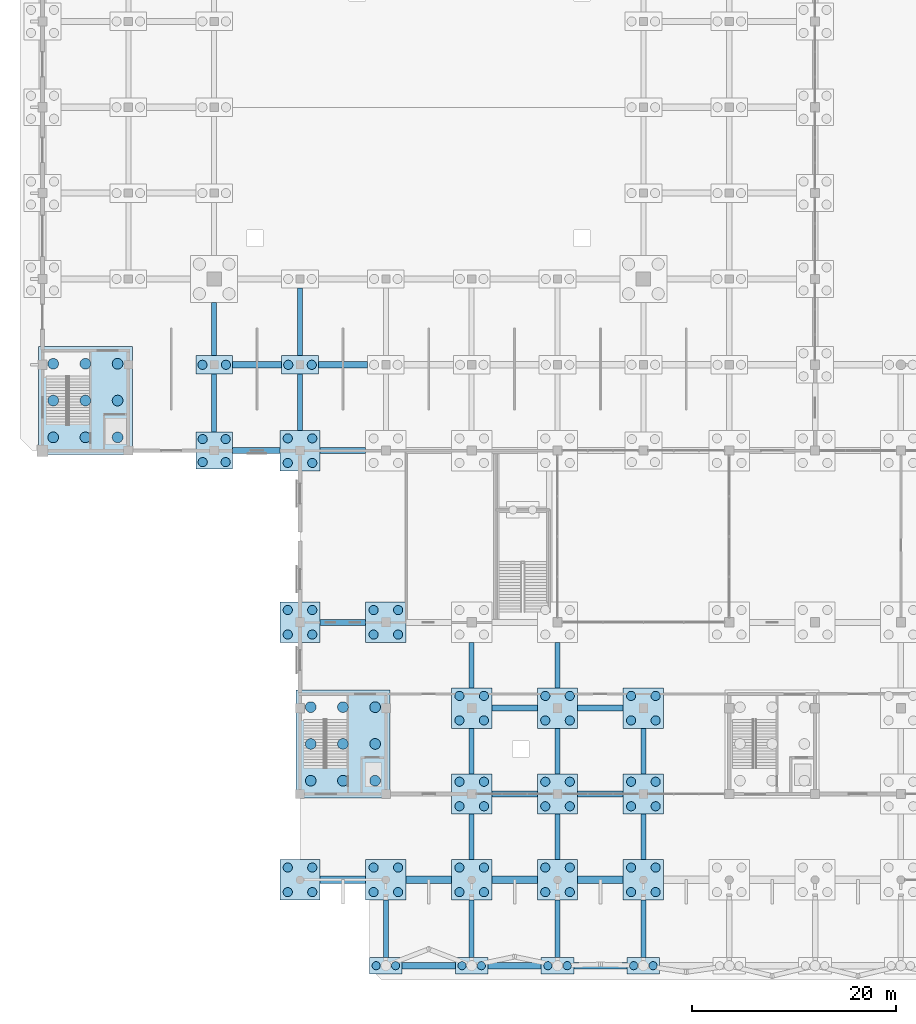
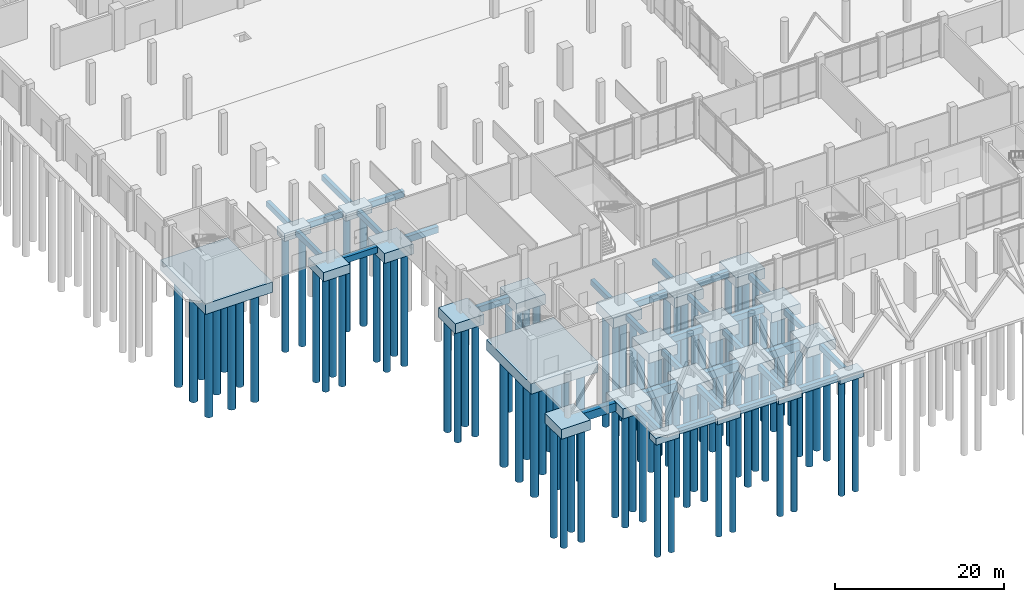
# One storey, part 1 of 72: 90 piles, 55 footings.
"""IFC4 building model written with IfcOpenShell, lengths in metres."""

from ifc_helpers import new_model, si_unit, direction, frame, origin, origin_2d, place, context, subcontext, project, spatial, rectangle, circle, extrude, material, layer, layer_set, material_profile, profile_set, type_object, element, save


model = new_model("IFC4")

# Units and contexts
model_context = context("Model", 3, precision=1e-05, world=origin(), true_north=direction((0.0, 1.0)))
body_context = subcontext(model_context, "Body", "Model", "MODEL_VIEW")
ifc_project = project(units=[si_unit("LENGTHUNIT", "METRE"), si_unit("AREAUNIT", "SQUARE_METRE"), si_unit("VOLUMEUNIT", "CUBIC_METRE"), si_unit("PLANEANGLEUNIT", "RADIAN"), si_unit("MASSUNIT", "GRAM", prefix="KILO")], contexts=[model_context])

# Site, building, storey
site_placement = place(None, origin())
site = spatial("IfcSite", under=ifc_project, at=site_placement, CompositionType="ELEMENT")
building_placement = place(site_placement, origin())
building = spatial("IfcBuilding", under=site, at=building_placement, Name="Qawsi Khor Wholesale Market", CompositionType="ELEMENT")
storey_placement = place(building_placement, origin())
storey = spatial("IfcBuildingStorey", under=building, at=storey_placement, Name="L00", CompositionType="ELEMENT", Elevation=0.0)

# Piles
ifc_material = material(Name="Concrete C45/55", Category="concrete")
ifc_material_profile_1 = material_profile(ifc_material, circle(Radius=0.52490234375, at=origin_2d()), Name="PILE D1050")
ifc_profile_set_1 = profile_set([ifc_material_profile_1], Name="Concrete C45/55")
pile_type_1 = type_object("IfcPileType", Name="Bored Pile D1050 C45/55", PredefinedType="BORED", material=ifc_profile_set_1)
for number, where, z_axis, x_axis, name in (
    (1, (26.25, 9.699951171875, -1.800048828125), (0.0, 0.0, -1.0), (1.0, 0.0, 0.0), "Core bored pile C01-01"),
    (2, (26.25, 13.300048828125, -1.800048828125), (0.0, 0.0, -1.0), (1.0, 0.0, 0.0), "Core bored pile C01-02"),
    (3, (26.25, 16.89990234375, -1.800048828125), (0.0, 0.0, -1.0), (1.0, 0.0, 0.0), "Core bored pile C01-03"),
    (4, (29.39990234375, 9.699951171875, -1.800048828125), (0.0, 0.0, -1.0), (1.0, 0.0, 0.0), "Core bored pile C01-04"),
    (5, (29.39990234375, 13.300048828125, -1.800048828125), (0.0, 0.0, -1.0), (1.0, 0.0, 0.0), "Core bored pile C01-05"),
    (6, (29.39990234375, 16.89990234375, -1.800048828125), (0.0, 0.0, -1.0), (1.0, 0.0, 0.0), "Core bored pile C01-06"),
    (7, (32.550048828125, 9.699951171875, -1.800048828125), (0.0, 0.0, -1.0), (1.0, 0.0, 0.0), "Core bored pile C01-07"),
    (8, (32.550048828125, 13.300048828125, -1.800048828125), (0.0, 0.0, -1.0), (1.0, 0.0, 0.0), "Core bored pile C01-08"),
    (9, (32.550048828125, 16.89990234375, -1.800048828125), (0.0, 0.0, -1.0), (1.0, 0.0, 0.0), "Core bored pile C01-09"),
    (10, (1.050048828125, 43.300048828125, -1.800048828125), (0.0, 0.0, -1.0), (1.0, 0.0, 0.0), "Core bored pile C07-01"),
    (11, (1.050048828125, 46.89990234375, -1.800048828125), (0.0, 0.0, -1.0), (1.0, 0.0, 0.0), "Core bored pile C07-02"),
    (12, (1.050048828125, 50.5, -1.800048828125), (0.0, 0.0, -1.0), (1.0, 0.0, 0.0), "Core bored pile C07-03"),
    (13, (4.199951171875, 43.300048828125, -1.800048828125), (0.0, 0.0, -1.0), (1.0, 0.0, 0.0), "Core bored pile C07-04"),
    (14, (4.199951171875, 46.89990234375, -1.800048828125), (0.0, 0.0, -1.0), (1.0, 0.0, 0.0), "Core bored pile C07-05"),
    (15, (4.199951171875, 50.5, -1.800048828125), (0.0, 0.0, -1.0), (1.0, 0.0, 0.0), "Core bored pile C07-06"),
    (16, (7.35009765625, 43.300048828125, -1.800048828125), (0.0, 0.0, -1.0), (1.0, 0.0, 0.0), "Core bored pile C07-07"),
    (17, (7.35009765625, 46.89990234375, -1.800048828125), (0.0, 0.0, -1.0), (1.0, 0.0, 0.0), "Core bored pile C07-08"),
    (18, (7.35009765625, 50.5, -1.800048828125), (0.0, 0.0, -1.0), (1.0, 0.0, 0.0), "Core bored pile C07-09"),
):
    element("IfcPile", number, at=place(storey_placement, frame(where, z_axis=z_axis, x_axis=x_axis)), inside=storey, type_object=pile_type_1, Name=name, PredefinedType="BORED", context=body_context, shape_type="SweptSolid", body=[
        extrude(circle(Radius=0.52490234375, at=origin_2d()), origin(), (0.0, 0.0, 1.0), 16.199951171875),
    ])
ifc_material_profile_2 = material_profile(ifc_material, circle(Radius=0.39990234375, at=origin_2d()), Name="PILE D800")
ifc_profile_set_2 = profile_set([ifc_material_profile_2], Name="Concrete C45/55")
pile_type_2 = type_object("IfcPileType", Name="Bored Pile D800 C45/55", PredefinedType="BORED", material=ifc_profile_set_2)
for number, where, z_axis, x_axis, name in (
    (19, (32.64990234375, -8.39990234375, -1.2900390625), (0.0, 0.0, -1.0), (1.0, 0.0, 0.0), "Canopy pile 04_-01-1"),
    (20, (34.550048828125, -8.39990234375, -1.2900390625), (0.0, 0.0, -1.0), (1.0, 0.0, 0.0), "Canopy pile 04_-01-2"),
    (21, (41.050048828125, -8.39990234375, -1.2900390625), (0.0, 0.0, -1.0), (1.0, 0.0, 0.0), "Canopy pile 05_-01-1"),
    (22, (42.949951171875, -8.39990234375, -1.2900390625), (0.0, 0.0, -1.0), (1.0, 0.0, 0.0), "Canopy pile 05_-01-2"),
    (23, (49.449951171875, -8.39990234375, -1.2900390625), (0.0, 0.0, -1.0), (1.0, 0.0, 0.0), "Canopy pile 06_-01-1"),
    (24, (51.35009765625, -8.39990234375, -1.2900390625), (0.0, 0.0, -1.0), (1.0, 0.0, 0.0), "Canopy pile 06_-01-2"),
    (25, (57.85009765625, -8.39990234375, -1.2900390625), (0.0, 0.0, -1.0), (1.0, 0.0, 0.0), "Canopy pile 07_-01-1"),
    (26, (59.75, -8.39990234375, -1.2900390625), (0.0, 0.0, -1.0), (1.0, 0.0, 0.0), "Canopy pile 07_-01-2"),
):
    element("IfcPile", number, at=place(storey_placement, frame(where, z_axis=z_axis, x_axis=x_axis)), inside=storey, type_object=pile_type_2, Name=name, PredefinedType="BORED", context=body_context, shape_type="SweptSolid", body=[
        extrude(circle(Radius=0.39990234375, at=origin_2d()), origin(), (0.0, 0.0, 1.0), 16.7099609375),
    ])
ifc_material_profile_3 = material_profile(ifc_material, circle(Radius=0.449951171875, at=origin_2d()), Name="PILE D900")
ifc_profile_set_3 = profile_set([ifc_material_profile_3], Name="Concrete C45/55")
pile_type_3 = type_object("IfcPileType", Name="Bored Pile D900 C45/55", PredefinedType="BORED", material=ifc_profile_set_3)
for number, where, z_axis, x_axis, name in (
    (27, (15.675048828125, 40.875, -1.610107421875), (0.0, 0.0, -1.0), (1.0, 0.0, 0.0), "Bored pile 02_+05-1"),
    (28, (17.925048828125, 40.875, -1.610107421875), (0.0, 0.0, -1.0), (1.0, 0.0, 0.0), "Bored pile 02_+05-2"),
    (29, (15.675048828125, 43.125, -1.610107421875), (0.0, 0.0, -1.0), (1.0, 0.0, 0.0), "Bored pile 02_+05-3"),
    (30, (17.925048828125, 43.125, -1.610107421875), (0.0, 0.0, -1.0), (1.0, 0.0, 0.0), "Bored pile 02_+05-4"),
):
    element("IfcPile", number, at=place(storey_placement, frame(where, z_axis=z_axis, x_axis=x_axis)), inside=storey, type_object=pile_type_3, Name=name, PredefinedType="BORED", context=body_context, shape_type="SweptSolid", body=[
        extrude(circle(Radius=0.449951171875, at=origin_2d()), origin(), (0.0, 0.0, 1.0), 16.389892578125),
    ])
for number, where, z_axis, x_axis, name in (
    (31, (15.64990234375, 50.39990234375, -1.5), (0.0, 0.0, -1.0), (1.0, 0.0, 0.0), "Bored pile 02_+06-1"),
    (32, (17.949951171875, 50.39990234375, -1.5), (0.0, 0.0, -1.0), (1.0, 0.0, 0.0), "Bored pile 02_+06-2"),
):
    element("IfcPile", number, at=place(storey_placement, frame(where, z_axis=z_axis, x_axis=x_axis)), inside=storey, type_object=pile_type_3, Name=name, PredefinedType="BORED", context=body_context, shape_type="SweptSolid", body=[
        extrude(circle(Radius=0.449951171875, at=origin_2d()), origin(), (0.0, 0.0, 1.0), 16.5),
    ])
for number, where, z_axis, x_axis, name in (
    (33, (24.0, -1.199951171875, -1.72998046875), (0.0, 0.0, -1.0), (1.0, 0.0, 0.0), "Bored pile 03_+00-1"),
    (34, (26.39990234375, -1.199951171875, -1.72998046875), (0.0, 0.0, -1.0), (1.0, 0.0, 0.0), "Bored pile 03_+00-2"),
    (35, (24.0, 1.199951171875, -1.72998046875), (0.0, 0.0, -1.0), (1.0, 0.0, 0.0), "Bored pile 03_+00-3"),
    (36, (26.39990234375, 1.199951171875, -1.72998046875), (0.0, 0.0, -1.0), (1.0, 0.0, 0.0), "Bored pile 03_+00-4"),
    (37, (24.0, 24.0, -1.72998046875), (0.0, 0.0, -1.0), (1.0, 0.0, 0.0), "Bored pile 03_+03-1"),
    (38, (26.39990234375, 24.0, -1.72998046875), (0.0, 0.0, -1.0), (1.0, 0.0, 0.0), "Bored pile 03_+03-2"),
    (39, (24.0, 26.39990234375, -1.72998046875), (0.0, 0.0, -1.0), (1.0, 0.0, 0.0), "Bored pile 03_+03-3"),
    (40, (26.39990234375, 26.39990234375, -1.72998046875), (0.0, 0.0, -1.0), (1.0, 0.0, 0.0), "Bored pile 03_+03-4"),
    (41, (24.0, 40.800048828125, -1.72998046875), (0.0, 0.0, -1.0), (1.0, 0.0, 0.0), "Bored pile 03_+05-1"),
    (42, (26.39990234375, 40.800048828125, -1.72998046875), (0.0, 0.0, -1.0), (1.0, 0.0, 0.0), "Bored pile 03_+05-2"),
    (43, (24.0, 43.199951171875, -1.72998046875), (0.0, 0.0, -1.0), (1.0, 0.0, 0.0), "Bored pile 03_+05-3"),
    (44, (26.39990234375, 43.199951171875, -1.72998046875), (0.0, 0.0, -1.0), (1.0, 0.0, 0.0), "Bored pile 03_+05-4"),
):
    element("IfcPile", number, at=place(storey_placement, frame(where, z_axis=z_axis, x_axis=x_axis)), inside=storey, type_object=pile_type_3, Name=name, PredefinedType="BORED", context=body_context, shape_type="SweptSolid", body=[
        extrude(circle(Radius=0.449951171875, at=origin_2d()), origin(), (0.0, 0.0, 1.0), 16.27001953125),
    ])
for number, where, z_axis, x_axis, name in (
    (45, (24.050048828125, 50.39990234375, -1.5), (0.0, 0.0, -1.0), (1.0, 0.0, 0.0), "Bored pile 03_+06-1"),
    (46, (26.35009765625, 50.39990234375, -1.5), (0.0, 0.0, -1.0), (1.0, 0.0, 0.0), "Bored pile 03_+06-2"),
):
    element("IfcPile", number, at=place(storey_placement, frame(where, z_axis=z_axis, x_axis=x_axis)), inside=storey, type_object=pile_type_3, Name=name, PredefinedType="BORED", context=body_context, shape_type="SweptSolid", body=[
        extrude(circle(Radius=0.449951171875, at=origin_2d()), origin(), (0.0, 0.0, 1.0), 16.5),
    ])
for number, where, z_axis, x_axis, name in (
    (47, (32.39990234375, -1.199951171875, -1.72998046875), (0.0, 0.0, -1.0), (1.0, 0.0, 0.0), "Bored pile 04_+00-1"),
    (48, (34.800048828125, -1.199951171875, -1.72998046875), (0.0, 0.0, -1.0), (1.0, 0.0, 0.0), "Bored pile 04_+00-2"),
    (49, (32.39990234375, 1.199951171875, -1.72998046875), (0.0, 0.0, -1.0), (1.0, 0.0, 0.0), "Bored pile 04_+00-3"),
    (50, (34.800048828125, 1.199951171875, -1.72998046875), (0.0, 0.0, -1.0), (1.0, 0.0, 0.0), "Bored pile 04_+00-4"),
    (51, (32.39990234375, 24.0, -1.72998046875), (0.0, 0.0, -1.0), (1.0, 0.0, 0.0), "Bored pile 04_+03-1"),
    (52, (34.800048828125, 24.0, -1.72998046875), (0.0, 0.0, -1.0), (1.0, 0.0, 0.0), "Bored pile 04_+03-2"),
    (53, (32.39990234375, 26.39990234375, -1.72998046875), (0.0, 0.0, -1.0), (1.0, 0.0, 0.0), "Bored pile 04_+03-3"),
    (54, (34.800048828125, 26.39990234375, -1.72998046875), (0.0, 0.0, -1.0), (1.0, 0.0, 0.0), "Bored pile 04_+03-4"),
    (55, (40.800048828125, -1.199951171875, -1.72998046875), (0.0, 0.0, -1.0), (1.0, 0.0, 0.0), "Bored pile 05_+00-1"),
    (56, (43.199951171875, -1.199951171875, -1.72998046875), (0.0, 0.0, -1.0), (1.0, 0.0, 0.0), "Bored pile 05_+00-2"),
    (57, (40.800048828125, 1.199951171875, -1.72998046875), (0.0, 0.0, -1.0), (1.0, 0.0, 0.0), "Bored pile 05_+00-3"),
    (58, (43.199951171875, 1.199951171875, -1.72998046875), (0.0, 0.0, -1.0), (1.0, 0.0, 0.0), "Bored pile 05_+00-4"),
    (59, (40.800048828125, 7.199951171875, -1.72998046875), (0.0, 0.0, -1.0), (1.0, 0.0, 0.0), "Bored pile 05_+01-1"),
    (60, (43.199951171875, 7.199951171875, -1.72998046875), (0.0, 0.0, -1.0), (1.0, 0.0, 0.0), "Bored pile 05_+01-2"),
    (61, (40.800048828125, 9.60009765625, -1.72998046875), (0.0, 0.0, -1.0), (1.0, 0.0, 0.0), "Bored pile 05_+01-3"),
    (62, (43.199951171875, 9.60009765625, -1.72998046875), (0.0, 0.0, -1.0), (1.0, 0.0, 0.0), "Bored pile 05_+01-4"),
    (63, (40.800048828125, 15.60009765625, -1.72998046875), (0.0, 0.0, -1.0), (1.0, 0.0, 0.0), "Bored pile 05_+02-1"),
    (64, (43.199951171875, 15.60009765625, -1.72998046875), (0.0, 0.0, -1.0), (1.0, 0.0, 0.0), "Bored pile 05_+02-2"),
    (65, (40.800048828125, 18.0, -1.72998046875), (0.0, 0.0, -1.0), (1.0, 0.0, 0.0), "Bored pile 05_+02-3"),
    (66, (43.199951171875, 18.0, -1.72998046875), (0.0, 0.0, -1.0), (1.0, 0.0, 0.0), "Bored pile 05_+02-4"),
    (67, (49.199951171875, -1.199951171875, -1.72998046875), (0.0, 0.0, -1.0), (1.0, 0.0, 0.0), "Bored pile 06_+00-1"),
    (68, (51.60009765625, -1.199951171875, -1.72998046875), (0.0, 0.0, -1.0), (1.0, 0.0, 0.0), "Bored pile 06_+00-2"),
    (69, (49.199951171875, 1.199951171875, -1.72998046875), (0.0, 0.0, -1.0), (1.0, 0.0, 0.0), "Bored pile 06_+00-3"),
    (70, (51.60009765625, 1.199951171875, -1.72998046875), (0.0, 0.0, -1.0), (1.0, 0.0, 0.0), "Bored pile 06_+00-4"),
    (71, (49.199951171875, 7.199951171875, -1.72998046875), (0.0, 0.0, -1.0), (1.0, 0.0, 0.0), "Bored pile 06_+01-1"),
    (72, (51.60009765625, 7.199951171875, -1.72998046875), (0.0, 0.0, -1.0), (1.0, 0.0, 0.0), "Bored pile 06_+01-2"),
    (73, (49.199951171875, 9.60009765625, -1.72998046875), (0.0, 0.0, -1.0), (1.0, 0.0, 0.0), "Bored pile 06_+01-3"),
    (74, (51.60009765625, 9.60009765625, -1.72998046875), (0.0, 0.0, -1.0), (1.0, 0.0, 0.0), "Bored pile 06_+01-4"),
    (75, (49.199951171875, 15.60009765625, -1.72998046875), (0.0, 0.0, -1.0), (1.0, 0.0, 0.0), "Bored pile 06_+02-1"),
    (76, (51.60009765625, 15.60009765625, -1.72998046875), (0.0, 0.0, -1.0), (1.0, 0.0, 0.0), "Bored pile 06_+02-2"),
    (77, (49.199951171875, 18.0, -1.72998046875), (0.0, 0.0, -1.0), (1.0, 0.0, 0.0), "Bored pile 06_+02-3"),
    (78, (51.60009765625, 18.0, -1.72998046875), (0.0, 0.0, -1.0), (1.0, 0.0, 0.0), "Bored pile 06_+02-4"),
    (79, (57.60009765625, -1.199951171875, -1.72998046875), (0.0, 0.0, -1.0), (1.0, 0.0, 0.0), "Bored pile 07_+00-1"),
    (80, (60.0, -1.199951171875, -1.72998046875), (0.0, 0.0, -1.0), (1.0, 0.0, 0.0), "Bored pile 07_+00-2"),
    (81, (57.60009765625, 1.199951171875, -1.72998046875), (0.0, 0.0, -1.0), (1.0, 0.0, 0.0), "Bored pile 07_+00-3"),
    (82, (60.0, 1.199951171875, -1.72998046875), (0.0, 0.0, -1.0), (1.0, 0.0, 0.0), "Bored pile 07_+00-4"),
    (83, (57.60009765625, 7.199951171875, -1.72998046875), (0.0, 0.0, -1.0), (1.0, 0.0, 0.0), "Bored pile 07_+01-1"),
    (84, (60.0, 7.199951171875, -1.72998046875), (0.0, 0.0, -1.0), (1.0, 0.0, 0.0), "Bored pile 07_+01-2"),
    (85, (57.60009765625, 9.60009765625, -1.72998046875), (0.0, 0.0, -1.0), (1.0, 0.0, 0.0), "Bored pile 07_+01-3"),
    (86, (60.0, 9.60009765625, -1.72998046875), (0.0, 0.0, -1.0), (1.0, 0.0, 0.0), "Bored pile 07_+01-4"),
    (87, (57.60009765625, 15.60009765625, -1.72998046875), (0.0, 0.0, -1.0), (1.0, 0.0, 0.0), "Bored pile 07_+02-1"),
    (88, (60.0, 15.60009765625, -1.72998046875), (0.0, 0.0, -1.0), (1.0, 0.0, 0.0), "Bored pile 07_+02-2"),
    (89, (57.60009765625, 18.0, -1.72998046875), (0.0, 0.0, -1.0), (1.0, 0.0, 0.0), "Bored pile 07_+02-3"),
    (90, (60.0, 18.0, -1.72998046875), (0.0, 0.0, -1.0), (1.0, 0.0, 0.0), "Bored pile 07_+02-4"),
):
    element("IfcPile", number, at=place(storey_placement, frame(where, z_axis=z_axis, x_axis=x_axis)), inside=storey, type_object=pile_type_3, Name=name, PredefinedType="BORED", context=body_context, shape_type="SweptSolid", body=[
        extrude(circle(Radius=0.449951171875, at=origin_2d()), origin(), (0.0, 0.0, 1.0), 16.27001953125),
    ])

# Footings
ifc_material_profile_4 = material_profile(ifc_material, rectangle(XDim=0.75, YDim=1.199951171875, at=origin_2d()), Name="RC 750x1200")
ifc_profile_set_4 = profile_set([ifc_material_profile_4], Name="Concrete C45/55")
footing_type_1 = type_object("IfcFootingType", Name="Boulevard Strip Footing SF 750x1200", PredefinedType="STRIP_FOOTING", material=ifc_profile_set_4)
for number, where, z_axis, x_axis, name in (
    (91, (27.175048828125, 0.0, -0.989990234375), (1.0, 0.0, 0.0), (0.0, 1.0, 0.0), "Ground tie-beam X 3-4 at Y=0.0"),
    (92, (35.574951171875, 0.0, -0.989990234375), (1.0, 0.0, 0.0), (0.0, 1.0, 0.0), "Ground tie-beam X 4-5 at Y=0.0"),
    (93, (43.97509765625, 0.0, -0.989990234375), (1.0, 0.0, 0.0), (0.0, 1.0, 0.0), "Ground tie-beam X 5-6 at Y=0.0"),
    (94, (52.375, 0.0, -0.989990234375), (1.0, 0.0, 0.0), (0.0, 1.0, 0.0), "Ground tie-beam X 6-7 at Y=0.0"),
):
    element("IfcFooting", number, at=place(storey_placement, frame(where, z_axis=z_axis, x_axis=x_axis)), inside=storey, type_object=footing_type_1, Name=name, PredefinedType="STRIP_FOOTING", context=body_context, shape_type="SweptSolid", body=[
        extrude(rectangle(XDim=0.75, YDim=1.199951171875, at=origin_2d()), origin(), (0.0, 0.0, 1.0), 4.449951171875),
    ])
ifc_layer_1 = layer(ifc_material, 1.52001953125, Name="Concrete C45/55")
ifc_layer_set_1 = layer_set([ifc_layer_1], Name="Concrete C45/55")
footing_type_2 = type_object("IfcFootingType", Name="Core Pile Raft CR-9P 9200x10600x1520", PredefinedType="PILE_CAP", material=ifc_layer_set_1)
for number, where, z_axis, x_axis, name in (
    (95, (29.39990234375, 13.300048828125, -1.880126953125), (0.0, 0.0, 1.0), (1.0, 0.0, 0.0), "Core pile raft C01"),
    (96, (4.199951171875, 46.89990234375, -1.880126953125), (0.0, 0.0, 1.0), (1.0, 0.0, 0.0), "Core pile raft C07"),
):
    element("IfcFooting", number, at=place(storey_placement, frame(where, z_axis=z_axis, x_axis=x_axis)), inside=storey, type_object=footing_type_2, Name=name, PredefinedType="PILE_CAP", context=body_context, shape_type="SweptSolid", body=[
        extrude(rectangle(XDim=9.199951171875, YDim=10.60009765625, at=origin_2d()), origin(), (0.0, 0.0, 1.0), 1.52001953125),
    ])
ifc_material_profile_5 = material_profile(ifc_material, rectangle(XDim=0.60009765625, YDim=0.89990234375, at=origin_2d()), Name="RC 600x900")
ifc_profile_set_5 = profile_set([ifc_material_profile_5], Name="Concrete C45/55")
footing_type_3 = type_object("IfcFootingType", Name="Ground Tie-Beam GTB 600x900", PredefinedType="FOOTING_BEAM", material=ifc_profile_set_5)
footing_1_placement = place(storey_placement, frame((18.60009765625, 42.0, -0.840087890625), z_axis=(1.0, 0.0, 0.0), x_axis=(0.0, 1.0, 0.0)))
element("IfcFooting", 97, at=footing_1_placement, inside=storey, type_object=footing_type_3, Name="Ground tie-beam X 2-3 at Y=42.0", PredefinedType="FOOTING_BEAM", context=body_context, shape_type="SweptSolid", body=[
    extrude(rectangle(XDim=0.60009765625, YDim=0.89990234375, at=origin_2d()), origin(), (0.0, 0.0, 1.0), 4.625),
])
footing_2_placement = place(storey_placement, frame((18.60009765625, 50.39990234375, -0.840087890625), z_axis=(1.0, 0.0, 0.0), x_axis=(0.0, 1.0, 0.0)))
element("IfcFooting", 98, at=footing_2_placement, inside=storey, type_object=footing_type_3, Name="Ground tie-beam X 2-3 at Y=50.4", PredefinedType="FOOTING_BEAM", context=body_context, shape_type="SweptSolid", body=[
    extrude(rectangle(XDim=0.60009765625, YDim=0.89990234375, at=origin_2d()), origin(), (0.0, 0.0, 1.0), 4.7998046875),
])
for number, where, z_axis, x_axis, name in (
    (99, (27.175048828125, 25.199951171875, -0.840087890625), (1.0, 0.0, 0.0), (0.0, 1.0, 0.0), "Ground tie-beam X 3-4 at Y=25.2"),
    (100, (27.175048828125, 42.0, -0.840087890625), (1.0, 0.0, 0.0), (0.0, 1.0, 0.0), "Ground tie-beam X 3-4 at Y=42.0"),
):
    element("IfcFooting", number, at=place(storey_placement, frame(where, z_axis=z_axis, x_axis=x_axis)), inside=storey, type_object=footing_type_3, Name=name, PredefinedType="FOOTING_BEAM", context=body_context, shape_type="SweptSolid", body=[
        extrude(rectangle(XDim=0.60009765625, YDim=0.89990234375, at=origin_2d()), origin(), (0.0, 0.0, 1.0), 4.449951171875),
    ])
footing_3_placement = place(storey_placement, frame((27.0, 50.39990234375, -0.840087890625), z_axis=(1.0, 0.0, 0.0), x_axis=(0.0, 1.0, 0.0)))
element("IfcFooting", 101, at=footing_3_placement, inside=storey, type_object=footing_type_3, Name="Ground tie-beam X 3-4 at Y=50.4", PredefinedType="FOOTING_BEAM", context=body_context, shape_type="SweptSolid", body=[
    extrude(rectangle(XDim=0.60009765625, YDim=0.89990234375, at=origin_2d()), origin(), (0.0, 0.0, 1.0), 4.800048828125),
])
for number, where, z_axis, x_axis, name in (
    (102, (35.199951171875, -8.39990234375, -0.840087890625), (1.0, 0.0, 0.0), (0.0, 1.0, 0.0), "Ground tie-beam X 4-5 at Y=-8.4"),
    (103, (43.60009765625, -8.39990234375, -0.840087890625), (1.0, 0.0, 0.0), (0.0, 1.0, 0.0), "Ground tie-beam X 5-6 at Y=-8.4"),
):
    element("IfcFooting", number, at=place(storey_placement, frame(where, z_axis=z_axis, x_axis=x_axis)), inside=storey, type_object=footing_type_3, Name=name, PredefinedType="FOOTING_BEAM", context=body_context, shape_type="SweptSolid", body=[
        extrude(rectangle(XDim=0.60009765625, YDim=0.89990234375, at=origin_2d()), origin(), (0.0, 0.0, 1.0), 5.199951171875),
    ])
for number, where, z_axis, x_axis, name in (
    (104, (43.97509765625, 8.39990234375, -0.840087890625), (1.0, 0.0, 0.0), (0.0, 1.0, 0.0), "Ground tie-beam X 5-6 at Y=8.4"),
    (105, (43.97509765625, 16.800048828125, -0.840087890625), (1.0, 0.0, 0.0), (0.0, 1.0, 0.0), "Ground tie-beam X 5-6 at Y=16.8"),
):
    element("IfcFooting", number, at=place(storey_placement, frame(where, z_axis=z_axis, x_axis=x_axis)), inside=storey, type_object=footing_type_3, Name=name, PredefinedType="FOOTING_BEAM", context=body_context, shape_type="SweptSolid", body=[
        extrude(rectangle(XDim=0.60009765625, YDim=0.89990234375, at=origin_2d()), origin(), (0.0, 0.0, 1.0), 4.449951171875),
    ])
footing_4_placement = place(storey_placement, frame((52.0, -8.39990234375, -0.840087890625), z_axis=(1.0, 0.0, 0.0), x_axis=(0.0, 1.0, 0.0)))
element("IfcFooting", 106, at=footing_4_placement, inside=storey, type_object=footing_type_3, Name="Ground tie-beam X 6-7 at Y=-8.4", PredefinedType="FOOTING_BEAM", context=body_context, shape_type="SweptSolid", body=[
    extrude(rectangle(XDim=0.60009765625, YDim=0.89990234375, at=origin_2d()), origin(), (0.0, 0.0, 1.0), 5.199951171875),
])
for number, where, z_axis, x_axis, name in (
    (107, (52.375, 8.39990234375, -0.840087890625), (1.0, 0.0, 0.0), (0.0, 1.0, 0.0), "Ground tie-beam X 6-7 at Y=8.4"),
    (108, (52.375, 16.800048828125, -0.840087890625), (1.0, 0.0, 0.0), (0.0, 1.0, 0.0), "Ground tie-beam X 6-7 at Y=16.8"),
):
    element("IfcFooting", number, at=place(storey_placement, frame(where, z_axis=z_axis, x_axis=x_axis)), inside=storey, type_object=footing_type_3, Name=name, PredefinedType="FOOTING_BEAM", context=body_context, shape_type="SweptSolid", body=[
        extrude(rectangle(XDim=0.60009765625, YDim=0.89990234375, at=origin_2d()), origin(), (0.0, 0.0, 1.0), 4.449951171875),
    ])
ifc_material_profile_6 = material_profile(ifc_material, rectangle(XDim=0.5, YDim=0.800048828125, at=origin_2d()), Name="RC 500x800")
ifc_profile_set_6 = profile_set([ifc_material_profile_6], Name="Concrete C45/55")
footing_type_4 = type_object("IfcFootingType", Name="Hall Tie-Beam GTB 500x800", PredefinedType="FOOTING_BEAM", material=ifc_profile_set_6)
footing_5_placement = place(storey_placement, frame((16.800048828125, 43.800048828125, -0.7900390625), z_axis=(0.0, 1.0, 0.0), x_axis=(-1.0, 0.0, 0.0)))
element("IfcFooting", 109, at=footing_5_placement, inside=storey, type_object=footing_type_4, Name="Ground tie-beam Y 5-6 at X=16.8", PredefinedType="FOOTING_BEAM", context=body_context, shape_type="SweptSolid", body=[
    extrude(rectangle(XDim=0.5, YDim=0.800048828125, at=origin_2d()), origin(), (0.0, 0.0, 1.0), 5.699951171875),
])
footing_6_placement = place(storey_placement, frame((16.800048828125, 51.300048828125, -0.7900390625), z_axis=(0.0, 1.0, 0.0), x_axis=(-1.0, 0.0, 0.0)))
element("IfcFooting", 110, at=footing_6_placement, inside=storey, type_object=footing_type_4, Name="Ground tie-beam Y 6-7 at X=16.8", PredefinedType="FOOTING_BEAM", context=body_context, shape_type="SweptSolid", body=[
    extrude(rectangle(XDim=0.5, YDim=0.800048828125, at=origin_2d()), origin(), (0.0, 0.0, 1.0), 5.199951171875),
])
footing_7_placement = place(storey_placement, frame((25.199951171875, 43.97509765625, -0.7900390625), z_axis=(0.0, 1.0, 0.0), x_axis=(-1.0, 0.0, 0.0)))
element("IfcFooting", 111, at=footing_7_placement, inside=storey, type_object=footing_type_4, Name="Ground tie-beam Y 5-6 at X=25.2", PredefinedType="FOOTING_BEAM", context=body_context, shape_type="SweptSolid", body=[
    extrude(rectangle(XDim=0.5, YDim=0.800048828125, at=origin_2d()), origin(), (0.0, 0.0, 1.0), 5.52490234375),
])
footing_8_placement = place(storey_placement, frame((25.199951171875, 51.300048828125, -0.7900390625), z_axis=(0.0, 1.0, 0.0), x_axis=(-1.0, 0.0, 0.0)))
element("IfcFooting", 112, at=footing_8_placement, inside=storey, type_object=footing_type_4, Name="Ground tie-beam Y 6-7 at X=25.2", PredefinedType="FOOTING_BEAM", context=body_context, shape_type="SweptSolid", body=[
    extrude(rectangle(XDim=0.5, YDim=0.800048828125, at=origin_2d()), origin(), (0.0, 0.0, 1.0), 6.599853515625),
])
for number, where, z_axis, x_axis, name in (
    (113, (33.60009765625, -7.60009765625, -0.7900390625), (0.0, 1.0, 0.0), (-1.0, 0.0, 0.0), "Ground tie-beam Y -1-0 at X=33.6"),
    (114, (42.0, -7.60009765625, -0.7900390625), (0.0, 1.0, 0.0), (-1.0, 0.0, 0.0), "Ground tie-beam Y -1-0 at X=42.0"),
):
    element("IfcFooting", number, at=place(storey_placement, frame(where, z_axis=z_axis, x_axis=x_axis)), inside=storey, type_object=footing_type_4, Name=name, PredefinedType="FOOTING_BEAM", context=body_context, shape_type="SweptSolid", body=[
        extrude(rectangle(XDim=0.5, YDim=0.800048828125, at=origin_2d()), origin(), (0.0, 0.0, 1.0), 5.625),
    ])
for number, where, z_axis, x_axis, name in (
    (115, (42.0, 1.97509765625, -0.7900390625), (0.0, 1.0, 0.0), (-1.0, 0.0, 0.0), "Ground tie-beam Y 0-1 at X=42.0"),
    (116, (42.0, 10.375, -0.7900390625), (0.0, 1.0, 0.0), (-1.0, 0.0, 0.0), "Ground tie-beam Y 1-2 at X=42.0"),
):
    element("IfcFooting", number, at=place(storey_placement, frame(where, z_axis=z_axis, x_axis=x_axis)), inside=storey, type_object=footing_type_4, Name=name, PredefinedType="FOOTING_BEAM", context=body_context, shape_type="SweptSolid", body=[
        extrude(rectangle(XDim=0.5, YDim=0.800048828125, at=origin_2d()), origin(), (0.0, 0.0, 1.0), 4.449951171875),
    ])
footing_9_placement = place(storey_placement, frame((42.0, 18.77490234375, -0.7900390625), z_axis=(0.0, 1.0, 0.0), x_axis=(-1.0, 0.0, 0.0)))
element("IfcFooting", 117, at=footing_9_placement, inside=storey, type_object=footing_type_4, Name="Ground tie-beam Y 2-3 at X=42.0", PredefinedType="FOOTING_BEAM", context=body_context, shape_type="SweptSolid", body=[
    extrude(rectangle(XDim=0.5, YDim=0.800048828125, at=origin_2d()), origin(), (0.0, 0.0, 1.0), 4.4501953125),
])
footing_10_placement = place(storey_placement, frame((50.39990234375, -7.60009765625, -0.7900390625), z_axis=(0.0, 1.0, 0.0), x_axis=(-1.0, 0.0, 0.0)))
element("IfcFooting", 118, at=footing_10_placement, inside=storey, type_object=footing_type_4, Name="Ground tie-beam Y -1-0 at X=50.4", PredefinedType="FOOTING_BEAM", context=body_context, shape_type="SweptSolid", body=[
    extrude(rectangle(XDim=0.5, YDim=0.800048828125, at=origin_2d()), origin(), (0.0, 0.0, 1.0), 5.625),
])
for number, where, z_axis, x_axis, name in (
    (119, (50.39990234375, 1.97509765625, -0.7900390625), (0.0, 1.0, 0.0), (-1.0, 0.0, 0.0), "Ground tie-beam Y 0-1 at X=50.4"),
    (120, (50.39990234375, 10.375, -0.7900390625), (0.0, 1.0, 0.0), (-1.0, 0.0, 0.0), "Ground tie-beam Y 1-2 at X=50.4"),
):
    element("IfcFooting", number, at=place(storey_placement, frame(where, z_axis=z_axis, x_axis=x_axis)), inside=storey, type_object=footing_type_4, Name=name, PredefinedType="FOOTING_BEAM", context=body_context, shape_type="SweptSolid", body=[
        extrude(rectangle(XDim=0.5, YDim=0.800048828125, at=origin_2d()), origin(), (0.0, 0.0, 1.0), 4.449951171875),
    ])
footing_11_placement = place(storey_placement, frame((50.39990234375, 18.77490234375, -0.7900390625), z_axis=(0.0, 1.0, 0.0), x_axis=(-1.0, 0.0, 0.0)))
element("IfcFooting", 121, at=footing_11_placement, inside=storey, type_object=footing_type_4, Name="Ground tie-beam Y 2-3 at X=50.4", PredefinedType="FOOTING_BEAM", context=body_context, shape_type="SweptSolid", body=[
    extrude(rectangle(XDim=0.5, YDim=0.800048828125, at=origin_2d()), origin(), (0.0, 0.0, 1.0), 4.4501953125),
])
footing_12_placement = place(storey_placement, frame((58.800048828125, -7.60009765625, -0.7900390625), z_axis=(0.0, 1.0, 0.0), x_axis=(-1.0, 0.0, 0.0)))
element("IfcFooting", 122, at=footing_12_placement, inside=storey, type_object=footing_type_4, Name="Ground tie-beam Y -1-0 at X=58.8", PredefinedType="FOOTING_BEAM", context=body_context, shape_type="SweptSolid", body=[
    extrude(rectangle(XDim=0.5, YDim=0.800048828125, at=origin_2d()), origin(), (0.0, 0.0, 1.0), 5.625),
])
for number, where, z_axis, x_axis, name in (
    (123, (58.800048828125, 1.97509765625, -0.7900390625), (0.0, 1.0, 0.0), (-1.0, 0.0, 0.0), "Ground tie-beam Y 0-1 at X=58.8"),
    (124, (58.800048828125, 10.375, -0.7900390625), (0.0, 1.0, 0.0), (-1.0, 0.0, 0.0), "Ground tie-beam Y 1-2 at X=58.8"),
):
    element("IfcFooting", number, at=place(storey_placement, frame(where, z_axis=z_axis, x_axis=x_axis)), inside=storey, type_object=footing_type_4, Name=name, PredefinedType="FOOTING_BEAM", context=body_context, shape_type="SweptSolid", body=[
        extrude(rectangle(XDim=0.5, YDim=0.800048828125, at=origin_2d()), origin(), (0.0, 0.0, 1.0), 4.449951171875),
    ])
ifc_layer_2 = layer(ifc_material, 1.0, Name="Concrete C45/55")
ifc_layer_set_2 = layer_set([ifc_layer_2], Name="Concrete C45/55")
footing_type_5 = type_object("IfcFootingType", Name="Pile Cap PC-2C 3200x1600x1000", PredefinedType="PILE_CAP", material=ifc_layer_set_2)
for number, where, z_axis, x_axis, name in (
    (125, (33.60009765625, -8.39990234375, -1.360107421875), (0.0, 0.0, 1.0), (1.0, 0.0, 0.0), "Canopy pile cap 04_-01"),
    (126, (42.0, -8.39990234375, -1.360107421875), (0.0, 0.0, 1.0), (1.0, 0.0, 0.0), "Canopy pile cap 05_-01"),
    (127, (50.39990234375, -8.39990234375, -1.360107421875), (0.0, 0.0, 1.0), (1.0, 0.0, 0.0), "Canopy pile cap 06_-01"),
    (128, (58.800048828125, -8.39990234375, -1.360107421875), (0.0, 0.0, 1.0), (1.0, 0.0, 0.0), "Canopy pile cap 07_-01"),
):
    element("IfcFooting", number, at=place(storey_placement, frame(where, z_axis=z_axis, x_axis=x_axis)), inside=storey, type_object=footing_type_5, Name=name, PredefinedType="PILE_CAP", context=body_context, shape_type="SweptSolid", body=[
        extrude(rectangle(XDim=3.199951171875, YDim=1.60009765625, at=origin_2d()), origin(), (0.0, 0.0, 1.0), 1.0),
    ])
ifc_layer_3 = layer(ifc_material, 1.14990234375, Name="Concrete C45/55")
ifc_layer_set_3 = layer_set([ifc_layer_3], Name="Concrete C45/55")
footing_type_6 = type_object("IfcFootingType", Name="Pile Cap PC-2P 3600x1800x1150", PredefinedType="PILE_CAP", material=ifc_layer_set_3)
for number, where, z_axis, x_axis, name in (
    (129, (16.800048828125, 50.39990234375, -1.510009765625), (0.0, 0.0, 1.0), (1.0, 0.0, 0.0), "Two-pile cap 02_+06"),
    (130, (25.199951171875, 50.39990234375, -1.510009765625), (0.0, 0.0, 1.0), (1.0, 0.0, 0.0), "Two-pile cap 03_+06"),
):
    element("IfcFooting", number, at=place(storey_placement, frame(where, z_axis=z_axis, x_axis=x_axis)), inside=storey, type_object=footing_type_6, Name=name, PredefinedType="PILE_CAP", context=body_context, shape_type="SweptSolid", body=[
        extrude(rectangle(XDim=3.60009765625, YDim=1.800048828125, at=origin_2d()), origin(), (0.0, 0.0, 1.0), 1.14990234375),
    ])
ifc_layer_4 = layer(ifc_material, 1.43994140625, Name="Concrete C45/55")
ifc_layer_set_4 = layer_set([ifc_layer_4], Name="Concrete C45/55")
footing_type_7 = type_object("IfcFootingType", Name="Pile Cap PC-4H 3950x3950x1440", PredefinedType="PILE_CAP", material=ifc_layer_set_4)
for number, where, z_axis, x_axis, name in (
    (131, (25.199951171875, 0.0, -1.800048828125), (0.0, 0.0, 1.0), (1.0, 0.0, 0.0), "Four-pile heavy cap 03_+00"),
    (132, (25.199951171875, 25.199951171875, -1.800048828125), (0.0, 0.0, 1.0), (1.0, 0.0, 0.0), "Four-pile heavy cap 03_+03"),
    (133, (25.199951171875, 42.0, -1.800048828125), (0.0, 0.0, 1.0), (1.0, 0.0, 0.0), "Four-pile heavy cap 03_+05"),
    (134, (33.60009765625, 0.0, -1.800048828125), (0.0, 0.0, 1.0), (1.0, 0.0, 0.0), "Four-pile heavy cap 04_+00"),
    (135, (33.60009765625, 25.199951171875, -1.800048828125), (0.0, 0.0, 1.0), (1.0, 0.0, 0.0), "Four-pile heavy cap 04_+03"),
    (136, (42.0, 0.0, -1.800048828125), (0.0, 0.0, 1.0), (1.0, 0.0, 0.0), "Four-pile heavy cap 05_+00"),
    (137, (42.0, 8.39990234375, -1.800048828125), (0.0, 0.0, 1.0), (1.0, 0.0, 0.0), "Four-pile heavy cap 05_+01"),
    (138, (42.0, 16.800048828125, -1.800048828125), (0.0, 0.0, 1.0), (1.0, 0.0, 0.0), "Four-pile heavy cap 05_+02"),
    (139, (50.39990234375, 0.0, -1.800048828125), (0.0, 0.0, 1.0), (1.0, 0.0, 0.0), "Four-pile heavy cap 06_+00"),
    (140, (50.39990234375, 8.39990234375, -1.800048828125), (0.0, 0.0, 1.0), (1.0, 0.0, 0.0), "Four-pile heavy cap 06_+01"),
    (141, (50.39990234375, 16.800048828125, -1.800048828125), (0.0, 0.0, 1.0), (1.0, 0.0, 0.0), "Four-pile heavy cap 06_+02"),
    (142, (58.800048828125, 0.0, -1.800048828125), (0.0, 0.0, 1.0), (1.0, 0.0, 0.0), "Four-pile heavy cap 07_+00"),
    (143, (58.800048828125, 8.39990234375, -1.800048828125), (0.0, 0.0, 1.0), (1.0, 0.0, 0.0), "Four-pile heavy cap 07_+01"),
    (144, (58.800048828125, 16.800048828125, -1.800048828125), (0.0, 0.0, 1.0), (1.0, 0.0, 0.0), "Four-pile heavy cap 07_+02"),
):
    element("IfcFooting", number, at=place(storey_placement, frame(where, z_axis=z_axis, x_axis=x_axis)), inside=storey, type_object=footing_type_7, Name=name, PredefinedType="PILE_CAP", context=body_context, shape_type="SweptSolid", body=[
        extrude(rectangle(XDim=3.949951171875, YDim=3.949951171875, at=origin_2d()), origin(), (0.0, 0.0, 1.0), 1.43994140625),
    ])
ifc_layer_5 = layer(ifc_material, 1.320068359375, Name="Concrete C45/55")
ifc_layer_set_5 = layer_set([ifc_layer_5], Name="Concrete C45/55")
footing_type_8 = type_object("IfcFootingType", Name="Pile Cap PC-4P 3600x3600x1320", PredefinedType="PILE_CAP", material=ifc_layer_set_5)
footing_13_placement = place(storey_placement, frame((16.800048828125, 42.0, -1.68017578125), z_axis=(0.0, 0.0, 1.0), x_axis=(1.0, 0.0, 0.0)))
element("IfcFooting", 145, at=footing_13_placement, inside=storey, type_object=footing_type_8, Name="Four-pile cap 02_+05", PredefinedType="PILE_CAP", context=body_context, shape_type="SweptSolid", body=[
    extrude(rectangle(XDim=3.60009765625, YDim=3.60009765625, at=origin_2d()), origin(), (0.0, 0.0, 1.0), 1.320068359375),
])

save(model, "model.ifc")
